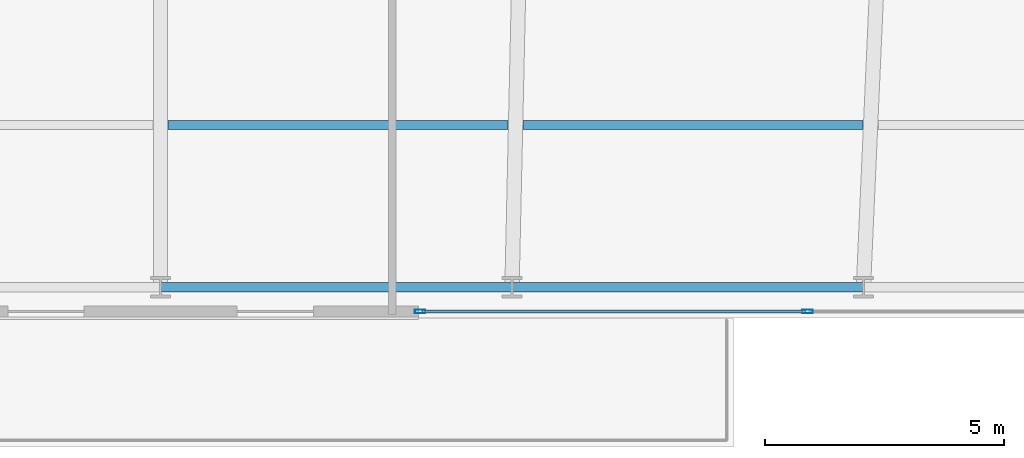
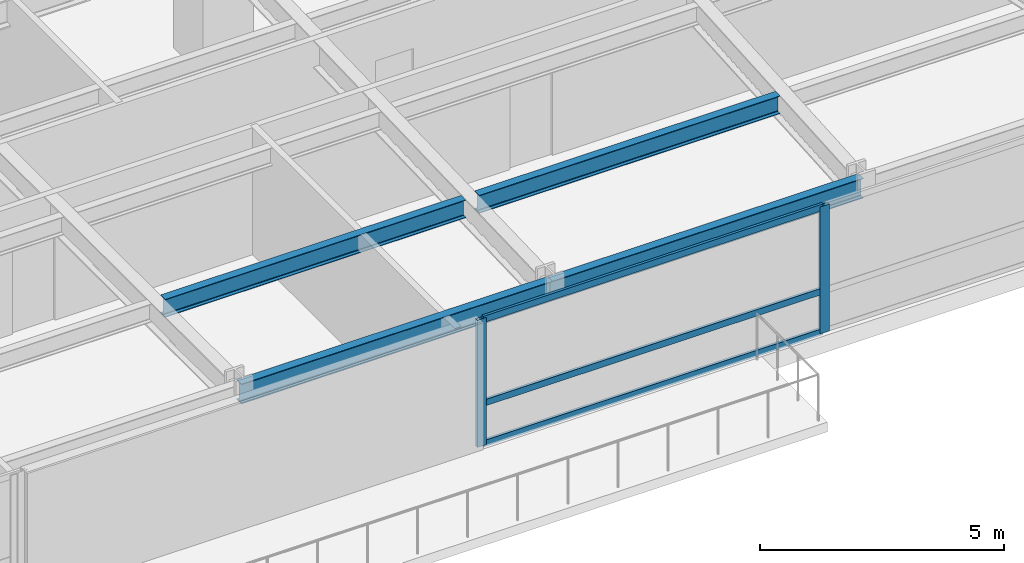
# One storey, part 11 of 31: 5 members, 4 beams, 1 element without a shape of its own.
"""IFC4 building model written with IfcOpenShell, lengths in metres."""

from ifc_helpers import new_model, si_unit, direction, frame, origin, origin_2d, place, context, subcontext, project, spatial, hollow_rectangle, i_section, extrude, material, material_profile, profile_set, type_object, element, aggregate, save


model = new_model("IFC4")

# Units and contexts
model_context = context("Model", 3, precision=1e-05, world=origin(), true_north=direction((0.0, 1.0)))
body_context = subcontext(model_context, "Body", "Model", "MODEL_VIEW")
ifc_project = project(units=[si_unit("LENGTHUNIT", "METRE"), si_unit("AREAUNIT", "SQUARE_METRE"), si_unit("VOLUMEUNIT", "CUBIC_METRE"), si_unit("PLANEANGLEUNIT", "RADIAN"), si_unit("MASSUNIT", "GRAM", prefix="KILO")], contexts=[model_context])

# Site, building, storey
site_placement = place(None, origin())
site = spatial("IfcSite", under=ifc_project, at=site_placement, CompositionType="ELEMENT")
building_placement = place(site_placement, origin())
building = spatial("IfcBuilding", under=site, at=building_placement, Name="Yelkora Congress Tower", CompositionType="ELEMENT")
storey_placement = place(building_placement, frame((0.0, 0.0, 30.39990234375)))
storey = spatial("IfcBuildingStorey", under=building, at=storey_placement, Name="L06", CompositionType="ELEMENT", Elevation=30.39990234375)

# Beams
ifc_material_1 = material(Name="Steel S355J2", Category="steel")
ifc_material_profile_1 = material_profile(ifc_material_1, i_section(OverallWidth=0.18994140625, OverallDepth=0.449951171875, WebThickness=0.009521484375, FlangeThickness=0.0146484375, FilletRadius=0.02099609375, at=origin_2d()), Name="IPE 450")
ifc_profile_set_1 = profile_set([ifc_material_profile_1], Name="Steel S355J2")
beam_type_1 = type_object("IfcBeamType", Name="BM-JOIST-IPE450", PredefinedType="JOIST", material=ifc_profile_set_1)
for number, where, z_axis, x_axis, name in (
    (1, (38.56005859375, 14.25, 2.955078125), (1.0, 0.0, 0.0), (0.0, 1.0, 0.0), "L06 Composite Floor Joist 5"),
    (2, (45.997802734375, 14.25, 2.955078125), (1.0, 0.0, 0.0), (0.0, 1.0, 0.0), "L06 Composite Floor Joist 6"),
):
    element("IfcBeam", number, at=place(storey_placement, frame(where, z_axis=z_axis, x_axis=x_axis)), inside=storey, type_object=beam_type_1, Name=name, PredefinedType="JOIST", context=body_context, shape_type="SweptSolid", body=[
        extrude(i_section(OverallWidth=0.18994140625, OverallDepth=0.449951171875, WebThickness=0.009521484375, FlangeThickness=0.0146484375, FilletRadius=0.02099609375, at=origin_2d()), origin(), (0.0, 0.0, 1.0), 7.11767578125),
    ])
ifc_material_profile_2 = material_profile(ifc_material_1, i_section(OverallWidth=0.199951171875, OverallDepth=0.5, WebThickness=0.01025390625, FlangeThickness=0.01611328125, FilletRadius=0.02099609375, at=origin_2d()), Name="IPE 500")
ifc_profile_set_2 = profile_set([ifc_material_profile_2], Name="Steel S355J2")
beam_type_2 = type_object("IfcBeamType", Name="BM-SPAN-IPE500", PredefinedType="SPANDREL", material=ifc_profile_set_2)
for number, where, z_axis, x_axis, name in (
    (3, (38.39990234375, 10.85009765625, 2.93017578125), (1.0, 0.0, 0.0), (0.0, 1.0, 0.0), "L06 Perimeter Beam 6"),
    (4, (45.762451171875, 10.85009765625, 2.93017578125), (1.0, 0.0, 0.0), (0.0, 1.0, 0.0), "L06 Perimeter Beam 7"),
):
    element("IfcBeam", number, at=place(storey_placement, frame(where, z_axis=z_axis, x_axis=x_axis)), inside=storey, type_object=beam_type_2, Name=name, PredefinedType="SPANDREL", context=body_context, shape_type="SweptSolid", body=[
        extrude(i_section(OverallWidth=0.199951171875, OverallDepth=0.5, WebThickness=0.01025390625, FlangeThickness=0.01611328125, FilletRadius=0.02099609375, at=origin_2d()), origin(), (0.0, 0.0, 1.0), 7.362548828125),
    ])

# Curtain wall, members
ifc_material_2 = material(Name="Anodised aluminium and insulated glass", Category="aluminium")
curtain_wall_type = type_object("IfcCurtainWallType", Name="CW-SYS-B1", PredefinedType="NOTDEFINED", material=ifc_material_2)
curtain_wall_placement = place(storey_placement, origin())
curtain_wall = element("IfcCurtainWall", 5, at=curtain_wall_placement, inside=storey, type_object=curtain_wall_type, Name="L06 South-East Curtain Wall", PredefinedType="NOTDEFINED")
ifc_material_3 = material(Name="Anodised aluminium 6063-T6", Category="aluminium")
ifc_material_profile_3 = material_profile(ifc_material_3, hollow_rectangle(XDim=0.074951171875, YDim=0.219970703125, WallThickness=0.0048828125, at=origin_2d()), Name="ALU 75x220x5")
ifc_profile_set_3 = profile_set([ifc_material_profile_3], Name="Anodised aluminium 6063-T6")
member_type_1 = type_object("IfcMemberType", Name="MEM-ML-B1", PredefinedType="MULLION", material=ifc_profile_set_3)
member_1_placement = place(storey_placement, frame((43.83740234375, 10.340087890625, 0.0), z_axis=(0.0, 0.0, 1.0), x_axis=(0.0, 1.0, 0.0)))
member_1 = element("IfcMember", 6, at=member_1_placement, type_object=member_type_1, Name="CW-B1 mullion 1", PredefinedType="MULLION", context=body_context, shape_type="SweptSolid", body=[
    extrude(hollow_rectangle(XDim=0.074951171875, YDim=0.219970703125, WallThickness=0.0048828125, at=origin_2d()), origin(), (0.0, 0.0, 1.0), 3.18017578125),
])
member_2_placement = place(storey_placement, frame((51.953369140625, 10.340087890625, 0.0), z_axis=(0.0, 0.0, 1.0), x_axis=(0.0, 1.0, 0.0)))
member_2 = element("IfcMember", 7, at=member_2_placement, type_object=member_type_1, Name="CW-B1 mullion 2", PredefinedType="MULLION", context=body_context, shape_type="SweptSolid", body=[
    extrude(hollow_rectangle(XDim=0.074951171875, YDim=0.219970703125, WallThickness=0.0048828125, at=origin_2d()), origin(), (0.0, 0.0, 1.0), 3.18017578125),
])
ifc_material_profile_4 = material_profile(ifc_material_3, hollow_rectangle(XDim=0.06494140625, YDim=0.159912109375, WallThickness=0.00390625, at=origin_2d()), Name="ALU 65x160x4")
ifc_profile_set_4 = profile_set([ifc_material_profile_4], Name="Anodised aluminium 6063-T6")
member_type_2 = type_object("IfcMemberType", Name="MEM-TR-B1", PredefinedType="USERDEFINED", material=ifc_profile_set_4)
member_3_placement = place(storey_placement, frame((43.875, 10.340087890625, 0.03271484375), z_axis=(1.0, 0.0, 0.0), x_axis=(0.0, 1.0, 0.0)))
member_3 = element("IfcMember", 8, at=member_3_placement, type_object=member_type_2, Name="CW-B1 transom 1.1", ObjectType="TRANSOM", PredefinedType="USERDEFINED", context=body_context, shape_type="SweptSolid", body=[
    extrude(hollow_rectangle(XDim=0.06494140625, YDim=0.159912109375, WallThickness=0.00390625, at=origin_2d()), origin(), (0.0, 0.0, 1.0), 8.040771484375),
])
member_4_placement = place(storey_placement, frame((43.875, 10.340087890625, 1.050048828125), z_axis=(1.0, 0.0, 0.0), x_axis=(0.0, 1.0, 0.0)))
member_4 = element("IfcMember", 9, at=member_4_placement, type_object=member_type_2, Name="CW-B1 transom 1.2", ObjectType="TRANSOM", PredefinedType="USERDEFINED", context=body_context, shape_type="SweptSolid", body=[
    extrude(hollow_rectangle(XDim=0.06494140625, YDim=0.159912109375, WallThickness=0.00390625, at=origin_2d()), origin(), (0.0, 0.0, 1.0), 8.040771484375),
])
member_5_placement = place(storey_placement, frame((43.875, 10.340087890625, 3.147705078125), z_axis=(1.0, 0.0, 0.0), x_axis=(0.0, 1.0, 0.0)))
member_5 = element("IfcMember", 10, at=member_5_placement, type_object=member_type_2, Name="CW-B1 transom 1.3", ObjectType="TRANSOM", PredefinedType="USERDEFINED", context=body_context, shape_type="SweptSolid", body=[
    extrude(hollow_rectangle(XDim=0.06494140625, YDim=0.159912109375, WallThickness=0.00390625, at=origin_2d()), origin(), (0.0, 0.0, 1.0), 8.040771484375),
])
aggregate(curtain_wall, [member_1, member_2, member_3, member_4, member_5])

save(model, "model.ifc")
